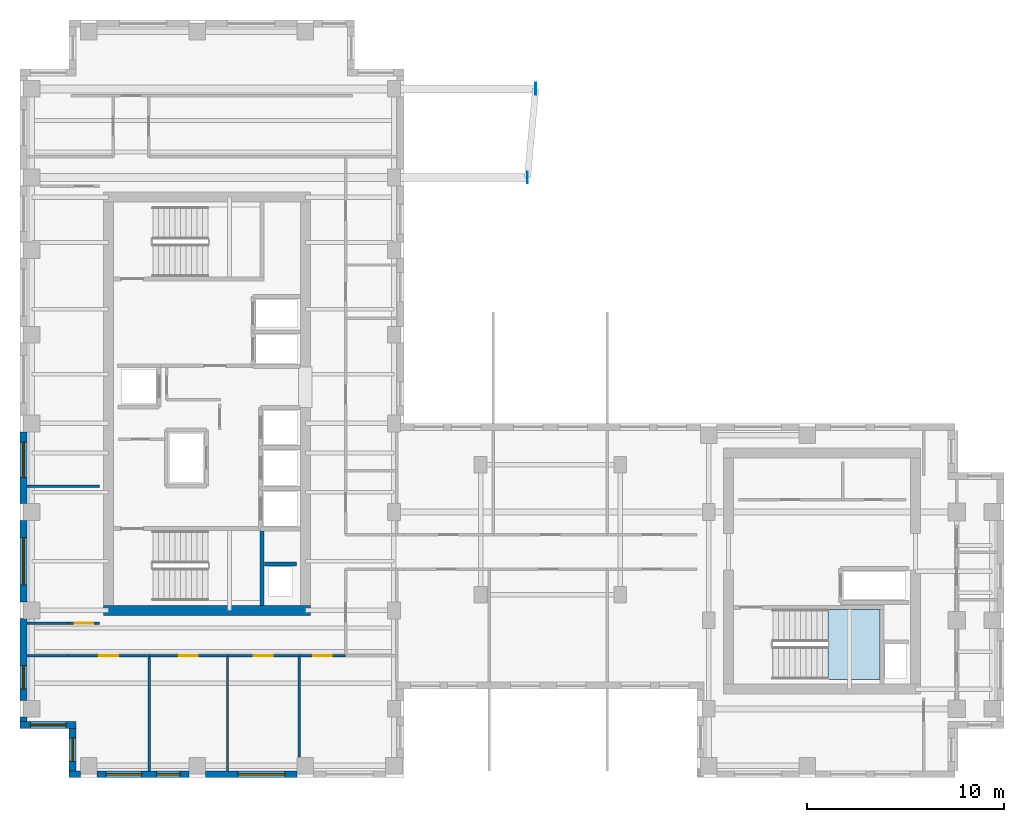
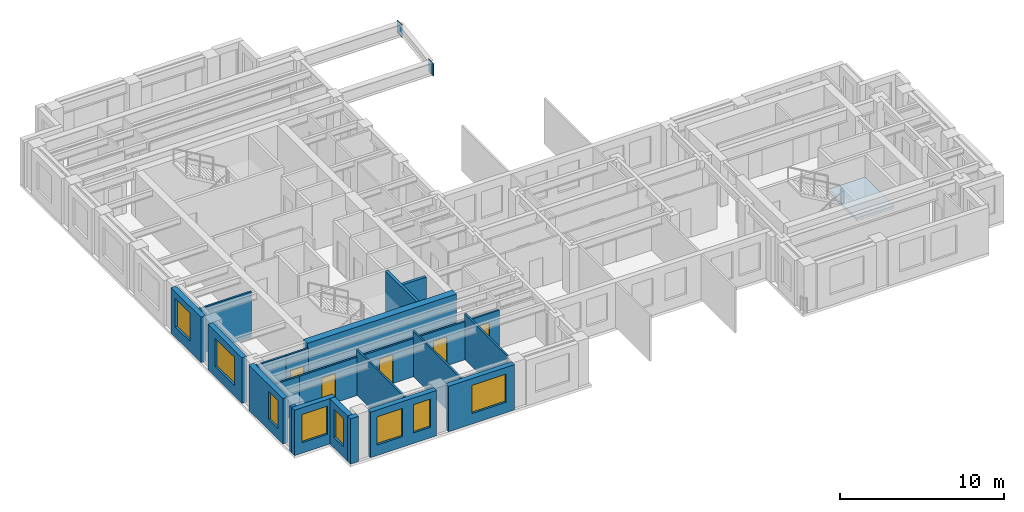
# One storey, part 3 of 11: 23 walls, 8 windows, 5 doors, 2 plates, 1 slab, 13 openings, 1 element without a shape of its own.
"""IFC4 building model written with IfcOpenShell, lengths in metres."""

from ifc_helpers import new_model, si_unit, direction, frame, frame_2d, origin, origin_2d, place, context, subcontext, project, spatial, polyline, rectangle, outline, extrude, source, transform, mapped, material, layer, layer_set, type_object, element, fill, aggregate, save


model = new_model("IFC4")

# Units and contexts
model_context = context("Model", 3, precision=1e-05, world=origin(), true_north=direction((0.0, 1.0)))
body_context = subcontext(model_context, "Body", "Model", "MODEL_VIEW")
ifc_project = project(units=[si_unit("LENGTHUNIT", "METRE"), si_unit("AREAUNIT", "SQUARE_METRE"), si_unit("VOLUMEUNIT", "CUBIC_METRE"), si_unit("PLANEANGLEUNIT", "RADIAN"), si_unit("MASSUNIT", "GRAM", prefix="KILO")], contexts=[model_context])

# Site, building, storey
site_placement = place(None, origin())
site = spatial("IfcSite", under=ifc_project, at=site_placement, CompositionType="ELEMENT")
building_placement = place(site_placement, origin())
building = spatial("IfcBuilding", under=site, at=building_placement, Name="Kharzan Plaza Tower", CompositionType="ELEMENT")
storey_placement = place(building_placement, frame((0.0, 0.0, 219.60009765625)))
storey = spatial("IfcBuildingStorey", under=building, at=storey_placement, Name="L59", CompositionType="ELEMENT", Elevation=219.60009765625)

# Stair, slab
ifc_material_1 = material(Name="Concrete C40/50", Category="concrete")
stair_type = type_object("IfcStairType", Name="STR-ST-3", PredefinedType="HALF_TURN_STAIR", material=ifc_material_1)
stair_placement = place(storey_placement, origin())
stair = element("IfcStair", 1, at=stair_placement, inside=storey, type_object=stair_type, Name="L59 Protected Exit Stair ST-3", PredefinedType="HALF_TURN_STAIR")
ifc_layer_1 = layer(ifc_material_1, 0.219970703125)
ifc_layer_set_1 = layer_set([ifc_layer_1], Name="Concrete C40/50")
slab_type = type_object("IfcSlabType", Name="SL-LANDING-220", PredefinedType="LANDING", material=ifc_layer_set_1)
slab_placement = place(storey_placement, frame((0.0, 0.0, 1.599853515625)))
slab = element("IfcSlab", 2, at=slab_placement, type_object=slab_type, Name="ST-3 landing 1", PredefinedType="LANDING", context=body_context, shape_type="SweptSolid", body=[
    extrude(outline(polyline([(41.050048828125, 5.0), (43.699951171875, 5.0), (43.699951171875, 8.550048828125), (41.050048828125, 8.550048828125), (41.050048828125, 5.0)])), origin(), (0.0, 0.0, 1.0), 0.199951171875),
])
aggregate(stair, [slab])

# Plates
ifc_material_2 = material(Name="Steel S460", Category="steel")
ifc_layer_2 = layer(ifc_material_2, 0.0419921875)
ifc_layer_set_2 = layer_set([ifc_layer_2], Name="Steel S460")
plate_type = type_object("IfcPlateType", Name="PLT-ZTN1", PredefinedType="USERDEFINED", material=ifc_layer_set_2)
shared_shape_1 = source(origin(), body_context, "Body", "SweptSolid", [
    extrude(rectangle(XDim=0.60009765625, YDim=0.0419921875, at=origin_2d()), origin(), (0.0, 0.0, 1.0), 0.949951171875),
])
for number, where, z_axis, x_axis, name in (
    (3, (25.7900390625, 30.5, 2.44140625), (0.0, 0.0, 1.0), (0.0, 1.0, 0.0), "L59 Sky-Terrace Cantilever Tip Plate ZTN1"),
    (4, (26.199951171875, 35.0, 2.44140625), (0.0, 0.0, 1.0), (0.0, 1.0, 0.0), "L59 Sky-Terrace Cantilever Tip Plate ZTN1"),
):
    element("IfcPlate", number, at=place(storey_placement, frame(where, z_axis=z_axis, x_axis=x_axis)), inside=storey, type_object=plate_type, Name=name, ObjectType="FLANGE_PLATE", PredefinedType="USERDEFINED", context=body_context, shape_type="MappedRepresentation", body=[
        mapped(shared_shape_1, transform((0.0, 0.0, 0.0), x_axis=(1.0, 0.0, 0.0), y_axis=(0.0, 1.0, 0.0), z_axis=(0.0, 0.0, 1.0))),
    ])

# Wall, opening, window
ifc_layer_3 = layer(ifc_material_1, 0.35009765625)
ifc_layer_set_3 = layer_set([ifc_layer_3], Name="Concrete C40/50")
wall_type_1 = type_object("IfcWallType", Name="WL-EXT-MAS-Z4", PredefinedType="SOLIDWALL", material=ifc_layer_set_3)
wall_1_placement = place(storey_placement, frame((0.175048828125, 17.576904296875, 0.0), z_axis=(0.0, 0.0, 1.0), x_axis=(0.0, -1.0, 0.0)))
wall_1 = element("IfcWall", 5, at=wall_1_placement, inside=storey, type_object=wall_type_1, Name="L59 Masonry-Frame Exterior Wall 14", PredefinedType="SOLIDWALL", context=body_context, shape_type="SweptSolid", body=[
    extrude(rectangle(XDim=3.65380859375, YDim=0.35009765625, at=frame_2d((1.826904296875, 0.0))), origin(), (0.0, 0.0, 1.0), 3.385009765625),
])
opening_1_placement = place(wall_1_placement, frame((0.5234375, 0.0, 0.780029296875)))
opening_1 = element("IfcOpeningElement", 6, at=opening_1_placement, cuts=wall_1, Name="Opening W1", PredefinedType="OPENING", context=body_context, shape_type="SweptSolid", body=[
    extrude(rectangle(XDim=1.800048828125, YDim=2.10009765625, at=frame_2d((0.89990234375, 1.050048828125))), frame((0.0, 0.18505859375, 0.0), z_axis=(0.0, -1.0, 0.0), x_axis=(1.0, 0.0, 0.0)), (0.0, 0.0, 1.0), 0.3701171875),
])
ifc_material_3 = material(Name="Low-E Double Glazing", Category="glass")
window_type_1 = type_object("IfcWindowType", Name="WN-REC-1800x2100", PartitioningType="SINGLE_PANEL", PredefinedType="WINDOW", material=ifc_material_3)
shared_shape_2 = source(origin(), body_context, "Body", "SweptSolid", [
    extrude(rectangle(XDim=1.800048828125, YDim=2.10009765625, at=frame_2d((0.89990234375, 1.050048828125))), frame((0.0, 0.030029296875, 0.0), z_axis=(0.0, -1.0, 0.0), x_axis=(1.0, 0.0, 0.0)), (0.0, 0.0, 1.0), 0.06005859375),
])
window_1_placement = place(opening_1_placement, origin())
window_1 = element("IfcWindow", 7, at=window_1_placement, inside=storey, type_object=window_type_1, Name="L59 Recessed Solar-Control Window 14-1", OverallHeight=2.10009765625, OverallWidth=1.800048828125, PartitioningType="SINGLE_PANEL", PredefinedType="WINDOW", context=body_context, shape_type="MappedRepresentation", body=[
    mapped(shared_shape_2, transform((0.0, 0.0, 0.0), x_axis=(1.0, 0.0, 0.0), y_axis=(0.0, 1.0, 0.0), z_axis=(0.0, 0.0, 1.0))),
])
fill(opening_1, window_1)

wall_2_placement = place(storey_placement, frame((0.175048828125, 13.076904296875, 0.0), z_axis=(0.0, 0.0, 1.0), x_axis=(0.0, -1.0, 0.0)))
wall_2 = element("IfcWall", 8, at=wall_2_placement, inside=storey, type_object=wall_type_1, Name="L59 Masonry-Frame Exterior Wall 15", PredefinedType="SOLIDWALL", context=body_context, shape_type="SweptSolid", body=[
    extrude(rectangle(XDim=4.15380859375, YDim=0.35009765625, at=frame_2d((2.076904296875, 0.0))), origin(), (0.0, 0.0, 1.0), 3.385009765625),
])
opening_2_placement = place(wall_2_placement, frame((0.876953125, 0.0, 0.780029296875)))
opening_2 = element("IfcOpeningElement", 9, at=opening_2_placement, cuts=wall_2, Name="Opening W2", PredefinedType="OPENING", context=body_context, shape_type="SweptSolid", body=[
    extrude(rectangle(XDim=2.39990234375, YDim=2.10009765625, at=frame_2d((1.199951171875, 1.050048828125))), frame((0.0, 0.18505859375, 0.0), z_axis=(0.0, -1.0, 0.0), x_axis=(1.0, 0.0, 0.0)), (0.0, 0.0, 1.0), 0.3701171875),
])
window_type_2 = type_object("IfcWindowType", Name="WN-REC-2400x2100", PartitioningType="SINGLE_PANEL", PredefinedType="WINDOW", material=ifc_material_3)
shared_shape_3 = source(origin(), body_context, "Body", "SweptSolid", [
    extrude(rectangle(XDim=2.39990234375, YDim=2.10009765625, at=frame_2d((1.199951171875, 1.050048828125))), frame((0.0, 0.030029296875, 0.0), z_axis=(0.0, -1.0, 0.0), x_axis=(1.0, 0.0, 0.0)), (0.0, 0.0, 1.0), 0.06005859375),
])
window_2_placement = place(opening_2_placement, origin())
window_2 = element("IfcWindow", 10, at=window_2_placement, inside=storey, type_object=window_type_2, Name="L59 Wide Recessed Solar-Control Window 15-1", OverallHeight=2.10009765625, OverallWidth=2.39990234375, PartitioningType="SINGLE_PANEL", PredefinedType="WINDOW", context=body_context, shape_type="MappedRepresentation", body=[
    mapped(shared_shape_3, transform((0.0, 0.0, 0.0), x_axis=(1.0, 0.0, 0.0), y_axis=(0.0, 1.0, 0.0), z_axis=(0.0, 0.0, 1.0))),
])
fill(opening_2, window_2)

wall_3_placement = place(storey_placement, frame((0.175048828125, 8.076904296875, 0.0), z_axis=(0.0, 0.0, 1.0), x_axis=(0.0, -1.0, 0.0)))
wall_3 = element("IfcWall", 11, at=wall_3_placement, inside=storey, type_object=wall_type_1, Name="L59 Masonry-Frame Exterior Wall 16", PredefinedType="SOLIDWALL", context=body_context, shape_type="SweptSolid", body=[
    extrude(rectangle(XDim=4.15380859375, YDim=0.35009765625, at=frame_2d((2.076904296875, 0.0))), origin(), (0.0, 0.0, 1.0), 3.385009765625),
])
opening_3_placement = place(wall_3_placement, frame((2.380615234375, 0.0, 0.780029296875)))
opening_3 = element("IfcOpeningElement", 12, at=opening_3_placement, cuts=wall_3, Name="Opening W3", PredefinedType="OPENING", context=body_context, shape_type="SweptSolid", body=[
    extrude(rectangle(XDim=1.199951171875, YDim=2.10009765625, at=frame_2d((0.60009765625, 1.050048828125))), frame((0.0, 0.18505859375, 0.0), z_axis=(0.0, -1.0, 0.0), x_axis=(1.0, 0.0, 0.0)), (0.0, 0.0, 1.0), 0.3701171875),
])
window_type_3 = type_object("IfcWindowType", Name="WN-REC-1200x2100", PartitioningType="SINGLE_PANEL", PredefinedType="WINDOW", material=ifc_material_3)
shared_shape_4 = source(origin(), body_context, "Body", "SweptSolid", [
    extrude(rectangle(XDim=1.199951171875, YDim=2.10009765625, at=frame_2d((0.60009765625, 1.050048828125))), frame((0.0, 0.030029296875, 0.0), z_axis=(0.0, -1.0, 0.0), x_axis=(1.0, 0.0, 0.0)), (0.0, 0.0, 1.0), 0.06005859375),
])
window_3_placement = place(opening_3_placement, origin())
window_3 = element("IfcWindow", 13, at=window_3_placement, inside=storey, type_object=window_type_3, Name="L59 Recessed Solar-Control Window 16-1", OverallHeight=2.10009765625, OverallWidth=1.199951171875, PartitioningType="SINGLE_PANEL", PredefinedType="WINDOW", context=body_context, shape_type="MappedRepresentation", body=[
    mapped(shared_shape_4, transform((0.0, 0.0, 0.0), x_axis=(1.0, 0.0, 0.0), y_axis=(0.0, 1.0, 0.0), z_axis=(0.0, 0.0, 1.0))),
])
fill(opening_3, window_3)

wall_4_placement = place(storey_placement, frame((0.0, 2.675048828125, 0.0), z_axis=(0.0, 0.0, 1.0), x_axis=(1.0, 0.0, 0.0)))
wall_4 = element("IfcWall", 14, at=wall_4_placement, inside=storey, type_object=wall_type_1, Name="L59 Masonry-Frame Exterior Wall 18", PredefinedType="SOLIDWALL", context=body_context, shape_type="SweptSolid", body=[
    extrude(rectangle(XDim=2.85009765625, YDim=0.35009765625, at=frame_2d((1.425048828125, 0.0))), origin(), (0.0, 0.0, 1.0), 3.385009765625),
])
opening_4_placement = place(wall_4_placement, frame((0.52490234375, 0.0, 0.780029296875)))
opening_4 = element("IfcOpeningElement", 15, at=opening_4_placement, cuts=wall_4, Name="Opening W1", PredefinedType="OPENING", context=body_context, shape_type="SweptSolid", body=[
    extrude(rectangle(XDim=1.800048828125, YDim=2.10009765625, at=frame_2d((0.89990234375, 1.050048828125))), frame((0.0, 0.18505859375, 0.0), z_axis=(0.0, -1.0, 0.0), x_axis=(1.0, 0.0, 0.0)), (0.0, 0.0, 1.0), 0.3701171875),
])
window_4_placement = place(opening_4_placement, origin())
window_4 = element("IfcWindow", 16, at=window_4_placement, inside=storey, type_object=window_type_1, Name="L59 Recessed Solar-Control Window 18-1", OverallHeight=2.10009765625, OverallWidth=1.800048828125, PartitioningType="SINGLE_PANEL", PredefinedType="WINDOW", context=body_context, shape_type="MappedRepresentation", body=[
    mapped(shared_shape_2, transform((0.0, 0.0, 0.0), x_axis=(1.0, 0.0, 0.0), y_axis=(0.0, 1.0, 0.0), z_axis=(0.0, 0.0, 1.0))),
])
fill(opening_4, window_4)

wall_5_placement = place(storey_placement, frame((2.675048828125, 2.501953125, 0.0), z_axis=(0.0, 0.0, 1.0), x_axis=(0.0, -1.0, 0.0)))
wall_5 = element("IfcWall", 17, at=wall_5_placement, inside=storey, type_object=wall_type_1, Name="L59 Masonry-Frame Exterior Wall 19", PredefinedType="SOLIDWALL", context=body_context, shape_type="SweptSolid", body=[
    extrude(rectangle(XDim=2.154052734375, YDim=0.35009765625, at=frame_2d((1.0771484375, 0.0))), origin(), (0.0, 0.0, 1.0), 3.385009765625),
])
opening_5_placement = place(wall_5_placement, frame((0.47705078125, 0.0, 0.780029296875)))
opening_5 = element("IfcOpeningElement", 18, at=opening_5_placement, cuts=wall_5, Name="Opening W3", PredefinedType="OPENING", context=body_context, shape_type="SweptSolid", body=[
    extrude(rectangle(XDim=1.199951171875, YDim=2.10009765625, at=frame_2d((0.60009765625, 1.050048828125))), frame((0.0, 0.18505859375, 0.0), z_axis=(0.0, -1.0, 0.0), x_axis=(1.0, 0.0, 0.0)), (0.0, 0.0, 1.0), 0.3701171875),
])
window_5_placement = place(opening_5_placement, origin())
window_5 = element("IfcWindow", 19, at=window_5_placement, inside=storey, type_object=window_type_3, Name="L59 Recessed Solar-Control Window 19-1", OverallHeight=2.10009765625, OverallWidth=1.199951171875, PartitioningType="SINGLE_PANEL", PredefinedType="WINDOW", context=body_context, shape_type="MappedRepresentation", body=[
    mapped(shared_shape_4, transform((0.0, 0.0, 0.0), x_axis=(1.0, 0.0, 0.0), y_axis=(0.0, 1.0, 0.0), z_axis=(0.0, 0.0, 1.0))),
])
fill(opening_5, window_5)

# Wall, openings, windows
wall_6_placement = place(storey_placement, frame((3.923095703125, 0.175048828125, 0.0), z_axis=(0.0, 0.0, 1.0), x_axis=(1.0, 0.0, 0.0)))
wall_6 = element("IfcWall", 20, at=wall_6_placement, inside=storey, type_object=wall_type_1, Name="L59 Masonry-Frame Exterior Wall 21", PredefinedType="SOLIDWALL", context=body_context, shape_type="SweptSolid", body=[
    extrude(rectangle(XDim=4.65380859375, YDim=0.35009765625, at=frame_2d((2.326904296875, 0.0))), origin(), (0.0, 0.0, 1.0), 3.385009765625),
])
opening_6_placement = place(wall_6_placement, frame((0.45947265625, 0.0, 0.780029296875)))
opening_6 = element("IfcOpeningElement", 21, at=opening_6_placement, cuts=wall_6, Name="Opening W1", PredefinedType="OPENING", context=body_context, shape_type="SweptSolid", body=[
    extrude(rectangle(XDim=1.800048828125, YDim=2.10009765625, at=frame_2d((0.89990234375, 1.050048828125))), frame((0.0, 0.18505859375, 0.0), z_axis=(0.0, -1.0, 0.0), x_axis=(1.0, 0.0, 0.0)), (0.0, 0.0, 1.0), 0.3701171875),
])
opening_7_placement = place(wall_6_placement, frame((3.0166015625, 0.0, 0.780029296875)))
opening_7 = element("IfcOpeningElement", 22, at=opening_7_placement, cuts=wall_6, Name="Opening W3", PredefinedType="OPENING", context=body_context, shape_type="SweptSolid", body=[
    extrude(rectangle(XDim=1.199951171875, YDim=2.10009765625, at=frame_2d((0.60009765625, 1.050048828125))), frame((0.0, 0.18505859375, 0.0), z_axis=(0.0, -1.0, 0.0), x_axis=(1.0, 0.0, 0.0)), (0.0, 0.0, 1.0), 0.3701171875),
])
window_6_placement = place(opening_6_placement, origin())
window_6 = element("IfcWindow", 23, at=window_6_placement, inside=storey, type_object=window_type_1, Name="L59 Recessed Solar-Control Window 21-1", OverallHeight=2.10009765625, OverallWidth=1.800048828125, PartitioningType="SINGLE_PANEL", PredefinedType="WINDOW", context=body_context, shape_type="MappedRepresentation", body=[
    mapped(shared_shape_2, transform((0.0, 0.0, 0.0), x_axis=(1.0, 0.0, 0.0), y_axis=(0.0, 1.0, 0.0), z_axis=(0.0, 0.0, 1.0))),
])
fill(opening_6, window_6)
window_7_placement = place(opening_7_placement, origin())
window_7 = element("IfcWindow", 24, at=window_7_placement, inside=storey, type_object=window_type_3, Name="L59 Recessed Solar-Control Window 21-2", OverallHeight=2.10009765625, OverallWidth=1.199951171875, PartitioningType="SINGLE_PANEL", PredefinedType="WINDOW", context=body_context, shape_type="MappedRepresentation", body=[
    mapped(shared_shape_4, transform((0.0, 0.0, 0.0), x_axis=(1.0, 0.0, 0.0), y_axis=(0.0, 1.0, 0.0), z_axis=(0.0, 0.0, 1.0))),
])
fill(opening_7, window_7)

# Wall, opening, window
wall_7_placement = place(storey_placement, frame((9.423095703125, 0.175048828125, 0.0), z_axis=(0.0, 0.0, 1.0), x_axis=(1.0, 0.0, 0.0)))
wall_7 = element("IfcWall", 25, at=wall_7_placement, inside=storey, type_object=wall_type_1, Name="L59 Masonry-Frame Exterior Wall 22", PredefinedType="SOLIDWALL", context=body_context, shape_type="SweptSolid", body=[
    extrude(rectangle(XDim=4.65380859375, YDim=0.35009765625, at=frame_2d((2.326904296875, 0.0))), origin(), (0.0, 0.0, 1.0), 3.385009765625),
])
opening_8_placement = place(wall_7_placement, frame((1.652587890625, 0.0, 0.780029296875)))
opening_8 = element("IfcOpeningElement", 26, at=opening_8_placement, cuts=wall_7, Name="Opening W2", PredefinedType="OPENING", context=body_context, shape_type="SweptSolid", body=[
    extrude(rectangle(XDim=2.39990234375, YDim=2.10009765625, at=frame_2d((1.199951171875, 1.050048828125))), frame((0.0, 0.18505859375, 0.0), z_axis=(0.0, -1.0, 0.0), x_axis=(1.0, 0.0, 0.0)), (0.0, 0.0, 1.0), 0.3701171875),
])
window_8_placement = place(opening_8_placement, origin())
window_8 = element("IfcWindow", 27, at=window_8_placement, inside=storey, type_object=window_type_2, Name="L59 Wide Recessed Solar-Control Window 22-1", OverallHeight=2.10009765625, OverallWidth=2.39990234375, PartitioningType="SINGLE_PANEL", PredefinedType="WINDOW", context=body_context, shape_type="MappedRepresentation", body=[
    mapped(shared_shape_3, transform((0.0, 0.0, 0.0), x_axis=(1.0, 0.0, 0.0), y_axis=(0.0, 1.0, 0.0), z_axis=(0.0, 0.0, 1.0))),
])
fill(opening_8, window_8)

# Wall, opening, door
ifc_material_4 = material(Name="Fire-Rated Gypsum Board Partition", Category="gypsum")
ifc_layer_4 = layer(ifc_material_4, 0.125)
ifc_layer_set_4 = layer_set([ifc_layer_4], Name="Fire-Rated Gypsum Board Partition")
wall_type_2 = type_object("IfcWallType", Name="WL-INT-PART-125", PredefinedType="PARTITIONING", material=ifc_layer_set_4)
wall_8_placement = place(storey_placement, frame((2.449951171875, 7.85009765625, 0.0), z_axis=(0.0, 0.0, 1.0), x_axis=(1.0, 0.0, 0.0)))
wall_8 = element("IfcWall", 28, at=wall_8_placement, inside=storey, type_object=wall_type_2, Name="L59 Interior Partition SH-RWSD", PredefinedType="PARTITIONING", context=body_context, shape_type="SweptSolid", body=[
    extrude(rectangle(XDim=1.60009765625, YDim=0.125, at=frame_2d((0.800048828125, 0.0))), origin(), (0.0, 0.0, 1.0), 3.385009765625),
])
opening_9_placement = place(wall_8_placement, frame((0.324951171875, 0.0, 0.0)))
opening_9 = element("IfcOpeningElement", 29, at=opening_9_placement, cuts=wall_8, Name="Opening OD1", PredefinedType="OPENING", context=body_context, shape_type="SweptSolid", body=[
    extrude(rectangle(XDim=0.949951171875, YDim=2.14990234375, at=frame_2d((0.47509765625, 1.074951171875))), frame((0.0, 0.072509765625, 0.0), z_axis=(0.0, -1.0, 0.0), x_axis=(1.0, 0.0, 0.0)), (0.0, 0.0, 1.0), 0.14501953125),
])
ifc_material_5 = material(Name="Acoustic Solid-Core Stained Oak", Category="timber")
door_type = type_object("IfcDoorType", Name="DR-OFF-SINGLE", OperationType="NOTDEFINED", PredefinedType="DOOR", material=ifc_material_5)
shared_shape_5 = source(origin(), body_context, "Body", "SweptSolid", [
    extrude(rectangle(XDim=0.949951171875, YDim=2.14990234375, at=frame_2d((0.47509765625, 1.074951171875))), frame((0.0, 0.02490234375, 0.0), z_axis=(0.0, -1.0, 0.0), x_axis=(1.0, 0.0, 0.0)), (0.0, 0.0, 1.0), 0.050048828125),
])
door_1_placement = place(opening_9_placement, origin())
door_1 = element("IfcDoor", 30, at=door_1_placement, inside=storey, type_object=door_type, Name="L59 West Office 1 Door", OperationType="SINGLE_SWING_RIGHT", OverallHeight=2.14990234375, OverallWidth=0.949951171875, PredefinedType="DOOR", context=body_context, shape_type="MappedRepresentation", body=[
    mapped(shared_shape_5, transform((0.0, 0.0, 0.0), x_axis=(1.0, 0.0, 0.0), y_axis=(0.0, 1.0, 0.0), z_axis=(0.0, 0.0, 1.0))),
])
fill(opening_9, door_1)

wall_9_placement = place(storey_placement, frame((2.449951171875, 6.199951171875, 0.0), z_axis=(0.0, 0.0, 1.0), x_axis=(1.0, 0.0, 0.0)))
wall_9 = element("IfcWall", 31, at=wall_9_placement, inside=storey, type_object=wall_type_2, Name="L59 Interior Partition SH-SS-1", PredefinedType="PARTITIONING", context=body_context, shape_type="SweptSolid", body=[
    extrude(rectangle(XDim=4.1220703125, YDim=0.125, at=frame_2d((2.06103515625, 0.0))), origin(), (0.0, 0.0, 1.0), 2.847900390625),
])
opening_10_placement = place(wall_9_placement, frame((1.5859375, 0.0, 0.0)))
opening_10 = element("IfcOpeningElement", 32, at=opening_10_placement, cuts=wall_9, Name="Opening OD1", PredefinedType="OPENING", context=body_context, shape_type="SweptSolid", body=[
    extrude(rectangle(XDim=0.949951171875, YDim=2.14990234375, at=frame_2d((0.47509765625, 1.074951171875))), frame((0.0, 0.072509765625, 0.0), z_axis=(0.0, -1.0, 0.0), x_axis=(1.0, 0.0, 0.0)), (0.0, 0.0, 1.0), 0.14501953125),
])
door_2_placement = place(opening_10_placement, origin())
door_2 = element("IfcDoor", 33, at=door_2_placement, inside=storey, type_object=door_type, Name="L59 Staff Tea Pantry Door", OperationType="SINGLE_SWING_RIGHT", OverallHeight=2.14990234375, OverallWidth=0.949951171875, PredefinedType="DOOR", context=body_context, shape_type="MappedRepresentation", body=[
    mapped(shared_shape_5, transform((0.0, 0.0, 0.0), x_axis=(1.0, 0.0, 0.0), y_axis=(0.0, 1.0, 0.0), z_axis=(0.0, 0.0, 1.0))),
])
fill(opening_10, door_2)

wall_10_placement = place(storey_placement, frame((6.572021484375, 6.199951171875, 0.0), z_axis=(0.0, 0.0, 1.0), x_axis=(1.0, 0.0, 0.0)))
wall_10 = element("IfcWall", 34, at=wall_10_placement, inside=storey, type_object=wall_type_2, Name="L59 Interior Partition SH-SS-2", PredefinedType="PARTITIONING", context=body_context, shape_type="SweptSolid", body=[
    extrude(rectangle(XDim=3.971923828125, YDim=0.125, at=frame_2d((1.98583984375, 0.0))), origin(), (0.0, 0.0, 1.0), 2.847900390625),
])
opening_11_placement = place(wall_10_placement, frame((1.510986328125, 0.0, 0.0)))
opening_11 = element("IfcOpeningElement", 35, at=opening_11_placement, cuts=wall_10, Name="Opening OD1", PredefinedType="OPENING", context=body_context, shape_type="SweptSolid", body=[
    extrude(rectangle(XDim=0.949951171875, YDim=2.14990234375, at=frame_2d((0.47509765625, 1.074951171875))), frame((0.0, 0.072509765625, 0.0), z_axis=(0.0, -1.0, 0.0), x_axis=(1.0, 0.0, 0.0)), (0.0, 0.0, 1.0), 0.14501953125),
])
door_3_placement = place(opening_11_placement, origin())
door_3 = element("IfcDoor", 36, at=door_3_placement, inside=storey, type_object=door_type, Name="L59 Standards Compliance Office Door", OperationType="SINGLE_SWING_LEFT", OverallHeight=2.14990234375, OverallWidth=0.949951171875, PredefinedType="DOOR", context=body_context, shape_type="MappedRepresentation", body=[
    mapped(shared_shape_5, transform((0.0, 0.0, 0.0), x_axis=(1.0, 0.0, 0.0), y_axis=(0.0, 1.0, 0.0), z_axis=(0.0, 0.0, 1.0))),
])
fill(opening_11, door_3)

wall_11_placement = place(storey_placement, frame((10.5439453125, 6.199951171875, 0.0), z_axis=(0.0, 0.0, 1.0), x_axis=(1.0, 0.0, 0.0)))
wall_11 = element("IfcWall", 37, at=wall_11_placement, inside=storey, type_object=wall_type_2, Name="L59 Interior Partition SH-SS-3", PredefinedType="PARTITIONING", context=body_context, shape_type="SweptSolid", body=[
    extrude(rectangle(XDim=3.64111328125, YDim=0.125, at=frame_2d((1.820556640625, 0.0))), origin(), (0.0, 0.0, 1.0), 2.847900390625),
])
opening_12_placement = place(wall_11_placement, frame((1.345458984375, 0.0, 0.0)))
opening_12 = element("IfcOpeningElement", 38, at=opening_12_placement, cuts=wall_11, Name="Opening OD1", PredefinedType="OPENING", context=body_context, shape_type="SweptSolid", body=[
    extrude(rectangle(XDim=0.949951171875, YDim=2.14990234375, at=frame_2d((0.47509765625, 1.074951171875))), frame((0.0, 0.072509765625, 0.0), z_axis=(0.0, -1.0, 0.0), x_axis=(1.0, 0.0, 0.0)), (0.0, 0.0, 1.0), 0.14501953125),
])
door_4_placement = place(opening_12_placement, origin())
door_4 = element("IfcDoor", 39, at=door_4_placement, inside=storey, type_object=door_type, Name="L59 Architectural Design Studio Door", OperationType="SINGLE_SWING_RIGHT", OverallHeight=2.14990234375, OverallWidth=0.949951171875, PredefinedType="DOOR", context=body_context, shape_type="MappedRepresentation", body=[
    mapped(shared_shape_5, transform((0.0, 0.0, 0.0), x_axis=(1.0, 0.0, 0.0), y_axis=(0.0, 1.0, 0.0), z_axis=(0.0, 0.0, 1.0))),
])
fill(opening_12, door_4)

wall_12_placement = place(storey_placement, frame((14.18505859375, 6.199951171875, 0.0), z_axis=(0.0, 0.0, 1.0), x_axis=(1.0, 0.0, 0.0)))
wall_12 = element("IfcWall", 40, at=wall_12_placement, inside=storey, type_object=wall_type_2, Name="L59 Interior Partition SH-SS-4", PredefinedType="PARTITIONING", context=body_context, shape_type="SweptSolid", body=[
    extrude(rectangle(XDim=2.364990234375, YDim=0.125, at=frame_2d((1.1826171875, 0.0))), origin(), (0.0, 0.0, 1.0), 2.847900390625),
])
opening_13_placement = place(wall_12_placement, frame((0.70751953125, 0.0, 0.0)))
opening_13 = element("IfcOpeningElement", 41, at=opening_13_placement, cuts=wall_12, Name="Opening OD1", PredefinedType="OPENING", context=body_context, shape_type="SweptSolid", body=[
    extrude(rectangle(XDim=0.949951171875, YDim=2.14990234375, at=frame_2d((0.47509765625, 1.074951171875))), frame((0.0, 0.072509765625, 0.0), z_axis=(0.0, -1.0, 0.0), x_axis=(1.0, 0.0, 0.0)), (0.0, 0.0, 1.0), 0.14501953125),
])
door_5_placement = place(opening_13_placement, origin())
door_5 = element("IfcDoor", 42, at=door_5_placement, inside=storey, type_object=door_type, Name="L59 Architectural Design Studio Door", OperationType="SINGLE_SWING_LEFT", OverallHeight=2.14990234375, OverallWidth=0.949951171875, PredefinedType="DOOR", context=body_context, shape_type="MappedRepresentation", body=[
    mapped(shared_shape_5, transform((0.0, 0.0, 0.0), x_axis=(1.0, 0.0, 0.0), y_axis=(0.0, 1.0, 0.0), z_axis=(0.0, 0.0, 1.0))),
])
fill(opening_13, door_5)

# Walls
shared_shape_6 = source(origin(), body_context, "Body", "SweptSolid", [
    extrude(rectangle(XDim=2.097900390625, YDim=0.125, at=frame_2d((1.048828125, 0.0))), origin(), (0.0, 0.0, 1.0), 3.385009765625),
])
wall_13_placement = place(storey_placement, frame((0.35205078125, 7.85009765625, 0.0), z_axis=(0.0, 0.0, 1.0), x_axis=(1.0, 0.0, 0.0)))
element("IfcWall", 43, at=wall_13_placement, inside=storey, type_object=wall_type_2, Name="L59 Interior Partition SH-RWS0", PredefinedType="PARTITIONING", context=body_context, shape_type="MappedRepresentation", body=[
    mapped(shared_shape_6, transform((0.0, 0.0, 0.0), x_axis=(1.0, 0.0, 0.0), y_axis=(0.0, 1.0, 0.0), z_axis=(0.0, 0.0, 1.0))),
])
shared_shape_7 = source(origin(), body_context, "Body", "SweptSolid", [
    extrude(rectangle(XDim=2.097900390625, YDim=0.125, at=frame_2d((1.048828125, 0.0))), origin(), (0.0, 0.0, 1.0), 2.847900390625),
])
wall_14_placement = place(storey_placement, frame((0.35205078125, 6.199951171875, 0.0), z_axis=(0.0, 0.0, 1.0), x_axis=(1.0, 0.0, 0.0)))
element("IfcWall", 44, at=wall_14_placement, inside=storey, type_object=wall_type_2, Name="L59 Interior Partition SH-SS-EXT", PredefinedType="PARTITIONING", context=body_context, shape_type="MappedRepresentation", body=[
    mapped(shared_shape_7, transform((0.0, 0.0, 0.0), x_axis=(1.0, 0.0, 0.0), y_axis=(0.0, 1.0, 0.0), z_axis=(0.0, 0.0, 1.0))),
])
ifc_layer_5 = layer(ifc_material_1, 0.199951171875)
ifc_layer_set_5 = layer_set([ifc_layer_5], Name="Concrete C40/50")
wall_type_3 = type_object("IfcWallType", Name="WL-INT-SHAFT-200", PredefinedType="PARTITIONING", material=ifc_layer_set_5)
shared_shape_8 = source(origin(), body_context, "Body", "SweptSolid", [
    extrude(rectangle(XDim=1.630126953125, YDim=0.199951171875, at=frame_2d((0.81494140625, 0.0))), origin(), (0.0, 0.0, 1.0), 3.385009765625),
])
wall_15_placement = place(storey_placement, frame((12.419921875, 10.85009765625, 0.0), z_axis=(0.0, 0.0, 1.0), x_axis=(1.0, 0.0, 0.0)))
element("IfcWall", 45, at=wall_15_placement, inside=storey, type_object=wall_type_3, Name="L59 Interior Partition CA-RSRA-N", PredefinedType="PARTITIONING", context=body_context, shape_type="MappedRepresentation", body=[
    mapped(shared_shape_8, transform((0.0, 0.0, 0.0), x_axis=(1.0, 0.0, 0.0), y_axis=(0.0, 1.0, 0.0), z_axis=(0.0, 0.0, 1.0))),
])
shared_shape_9 = source(origin(), body_context, "Body", "SweptSolid", [
    extrude(rectangle(XDim=5.847900390625, YDim=0.125, at=frame_2d((2.923828125, 0.0))), origin(), (0.0, 0.0, 1.0), 3.385009765625),
])
for number, where, z_axis, x_axis, name in (
    (46, (6.572021484375, 0.35205078125, 0.0), (0.0, 0.0, 1.0), (0.0, 1.0, 0.0), "L59 Interior Partition SH-SV-1"),
    (47, (10.5439453125, 0.35205078125, 0.0), (0.0, 0.0, 1.0), (0.0, 1.0, 0.0), "L59 Interior Partition SH-SV-2"),
):
    element("IfcWall", number, at=place(storey_placement, frame(where, z_axis=z_axis, x_axis=x_axis)), inside=storey, type_object=wall_type_2, Name=name, PredefinedType="PARTITIONING", context=body_context, shape_type="MappedRepresentation", body=[
        mapped(shared_shape_9, transform((0.0, 0.0, 0.0), x_axis=(1.0, 0.0, 0.0), y_axis=(0.0, 1.0, 0.0), z_axis=(0.0, 0.0, 1.0))),
    ])
shared_shape_10 = source(origin(), body_context, "Body", "SweptSolid", [
    extrude(rectangle(XDim=3.697998046875, YDim=0.125, at=frame_2d((1.84912109375, 0.0))), origin(), (0.0, 0.0, 1.0), 3.385009765625),
])
wall_16_placement = place(storey_placement, frame((0.35205078125, 14.800048828125, 0.0), z_axis=(0.0, 0.0, 1.0), x_axis=(1.0, 0.0, 0.0)))
element("IfcWall", 48, at=wall_16_placement, inside=storey, type_object=wall_type_2, Name="L59 Interior Partition SH-WMID", PredefinedType="PARTITIONING", context=body_context, shape_type="MappedRepresentation", body=[
    mapped(shared_shape_10, transform((0.0, 0.0, 0.0), x_axis=(1.0, 0.0, 0.0), y_axis=(0.0, 1.0, 0.0), z_axis=(0.0, 0.0, 1.0))),
])
shared_shape_11 = source(origin(), body_context, "Body", "SweptSolid", [
    extrude(rectangle(XDim=0.576904296875, YDim=0.35009765625, at=frame_2d((0.28857421875, 0.0))), origin(), (0.0, 0.0, 1.0), 3.385009765625),
])
wall_17_placement = place(storey_placement, frame((2.5, 0.175048828125, 0.0), z_axis=(0.0, 0.0, 1.0), x_axis=(1.0, 0.0, 0.0)))
element("IfcWall", 49, at=wall_17_placement, inside=storey, type_object=wall_type_1, Name="L59 Masonry-Frame Exterior Wall 20", PredefinedType="SOLIDWALL", context=body_context, shape_type="MappedRepresentation", body=[
    mapped(shared_shape_11, transform((0.0, 0.0, 0.0), x_axis=(1.0, 0.0, 0.0), y_axis=(0.0, 1.0, 0.0), z_axis=(0.0, 0.0, 1.0))),
])
shared_shape_12 = source(origin(), body_context, "Body", "SweptSolid", [
    extrude(rectangle(XDim=0.22900390625, YDim=0.35009765625, at=frame_2d((0.114501953125, 0.0))), origin(), (0.0, 0.0, 1.0), 3.385009765625),
])
wall_18_placement = place(storey_placement, frame((0.175048828125, 3.076904296875, 0.0), z_axis=(0.0, 0.0, 1.0), x_axis=(0.0, -1.0, 0.0)))
element("IfcWall", 50, at=wall_18_placement, inside=storey, type_object=wall_type_1, Name="L59 Masonry-Frame Exterior Wall 17", PredefinedType="SOLIDWALL", context=body_context, shape_type="MappedRepresentation", body=[
    mapped(shared_shape_12, transform((0.0, 0.0, 0.0), x_axis=(1.0, 0.0, 0.0), y_axis=(0.0, 1.0, 0.0), z_axis=(0.0, 0.0, 1.0))),
])
ifc_material_6 = material(Name="Concrete C50/60", Category="concrete")
ifc_layer_6 = layer(ifc_material_6, 0.5)
ifc_layer_set_6 = layer_set([ifc_layer_6], Name="Concrete C50/60")
wall_type_4 = type_object("IfcWallType", Name="WL-CORE-500", PredefinedType="SHEAR", material=ifc_layer_set_6)
shared_shape_13 = source(origin(), body_context, "Body", "SweptSolid", [
    extrude(rectangle(XDim=10.5, YDim=0.5, at=frame_2d((5.25, 0.0))), origin(), (0.0, 0.0, 1.0), 3.39990234375),
])
wall_19_placement = place(storey_placement, frame((4.25, 8.5, 0.0), z_axis=(0.0, 0.0, 1.0), x_axis=(1.0, 0.0, 0.0)))
element("IfcWall", 51, at=wall_19_placement, inside=storey, type_object=wall_type_4, Name="L59 CORE-A south RC shear wall", PredefinedType="SHEAR", context=body_context, shape_type="MappedRepresentation", body=[
    mapped(shared_shape_13, transform((0.0, 0.0, 0.0), x_axis=(1.0, 0.0, 0.0), y_axis=(0.0, 1.0, 0.0), z_axis=(0.0, 0.0, 1.0))),
])
ifc_layer_7 = layer(ifc_material_6, 0.199951171875)
ifc_layer_set_7 = layer_set([ifc_layer_7], Name="Concrete C50/60")
wall_type_5 = type_object("IfcWallType", Name="WL-SHAFT-RC200", PredefinedType="SHEAR", material=ifc_layer_set_7)
shared_shape_14 = source(origin(), body_context, "Body", "SweptSolid", [
    extrude(rectangle(XDim=3.802978515625, YDim=0.199951171875, at=frame_2d((1.9013671875, 0.0))), origin(), (0.0, 0.0, 1.0), 3.39990234375),
])
wall_20_placement = place(storey_placement, frame((12.304931640625, 8.751953125, 0.0), z_axis=(0.0, 0.0, 1.0), x_axis=(0.0, 1.0, 0.0)))
element("IfcWall", 52, at=wall_20_placement, inside=storey, type_object=wall_type_5, Name="L59 Stair ST-1 East RC Shaft Wall", PredefinedType="SHEAR", context=body_context, shape_type="MappedRepresentation", body=[
    mapped(shared_shape_14, transform((0.0, 0.0, 0.0), x_axis=(1.0, 0.0, 0.0), y_axis=(0.0, 1.0, 0.0), z_axis=(0.0, 0.0, 1.0))),
])
shared_shape_15 = source(origin(), body_context, "Body", "SweptSolid", [
    extrude(rectangle(XDim=5.14990234375, YDim=0.125, at=frame_2d((2.574951171875, 0.0))), origin(), (0.0, 0.0, 1.0), 3.385009765625),
])
wall_21_placement = place(storey_placement, frame((14.18505859375, 1.050048828125, 0.0), z_axis=(0.0, 0.0, 1.0), x_axis=(0.0, 1.0, 0.0)))
element("IfcWall", 53, at=wall_21_placement, inside=storey, type_object=wall_type_2, Name="L59 Interior Partition SH-SV-3", PredefinedType="PARTITIONING", context=body_context, shape_type="MappedRepresentation", body=[
    mapped(shared_shape_15, transform((0.0, 0.0, 0.0), x_axis=(1.0, 0.0, 0.0), y_axis=(0.0, 1.0, 0.0), z_axis=(0.0, 0.0, 1.0))),
])

save(model, "model.ifc")
